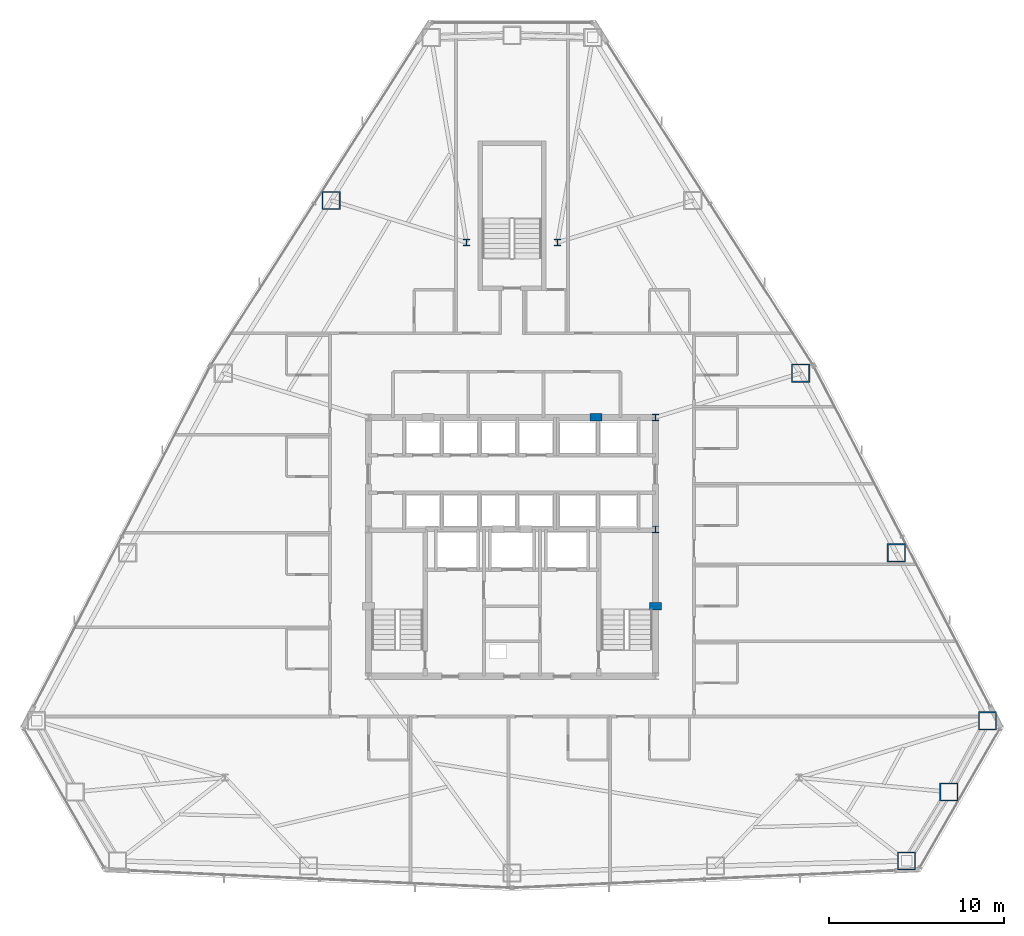
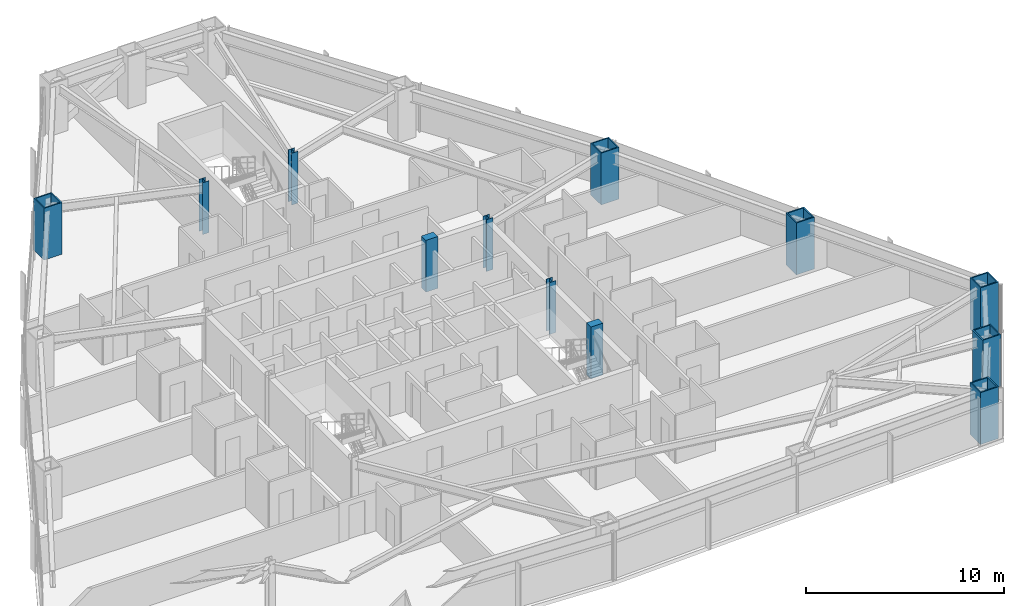
# One storey, part 2 of 13: 12 columns.
"""IFC4 building model written with IfcOpenShell, lengths in metres."""

from ifc_helpers import new_model, si_unit, direction, frame, origin, origin_2d, place, context, subcontext, project, spatial, rectangle, hollow_rectangle, i_section, extrude, material, material_profile, profile_set, type_object, element, save


model = new_model("IFC4")

# Units and contexts
model_context = context("Model", 3, precision=1e-05, world=origin(), true_north=direction((0.0, 1.0)))
body_context = subcontext(model_context, "Body", "Model", "MODEL_VIEW")
ifc_project = project(units=[si_unit("LENGTHUNIT", "METRE"), si_unit("AREAUNIT", "SQUARE_METRE"), si_unit("VOLUMEUNIT", "CUBIC_METRE"), si_unit("PLANEANGLEUNIT", "RADIAN"), si_unit("MASSUNIT", "GRAM", prefix="KILO")], contexts=[model_context])

# Site, building, storey
site_placement = place(None, origin())
site = spatial("IfcSite", under=ifc_project, at=site_placement, CompositionType="ELEMENT")
building_placement = place(site_placement, origin())
building = spatial("IfcBuilding", under=site, at=building_placement, Name="Varakhsha Concourse Tower", CompositionType="ELEMENT")
storey_placement = place(building_placement, frame((0.0, 0.0, 86.199951171875)))
storey = spatial("IfcBuildingStorey", under=building, at=storey_placement, Name="L24", CompositionType="ELEMENT", Elevation=86.199951171875)

# Columns
ifc_material_1 = material(Name="Structural Steel ASTM A992 Grade 50", Category="steel")
ifc_material_profile_1 = material_profile(ifc_material_1, i_section(OverallWidth=0.3740234375, OverallDepth=0.3720703125, WebThickness=0.01611328125, FlangeThickness=0.02587890625, at=origin_2d()), Name="W14X132")
ifc_profile_set_1 = profile_set([ifc_material_profile_1], Name="Structural Steel ASTM A992 Grade 50")
column_type_1 = type_object("IfcColumnType", Name="CL-CORE-W14X132", PredefinedType="COLUMN", material=ifc_profile_set_1)
for number, where, z_axis, x_axis, name in (
    (1, (48.199951171875, 24.800048828125, 0.0), (0.0, 0.0, 1.0), (1.0, 0.0, 0.0), "L24 Core Column CC-ME"),
    (2, (48.199951171875, 31.199951171875, 0.0), (0.0, 0.0, 1.0), (1.0, 0.0, 0.0), "L24 Core Column CC-NE"),
    (3, (37.39990234375, 41.199951171875, 0.0), (0.0, 0.0, 1.0), (1.0, 0.0, 0.0), "L24 Core Column NS-W"),
    (4, (42.60009765625, 41.199951171875, 0.0), (0.0, 0.0, 1.0), (1.0, 0.0, 0.0), "L24 Core Column NS-E"),
):
    element("IfcColumn", number, at=place(storey_placement, frame(where, z_axis=z_axis, x_axis=x_axis)), inside=storey, type_object=column_type_1, Name=name, PredefinedType="COLUMN", context=body_context, shape_type="SweptSolid", body=[
        extrude(i_section(OverallWidth=0.3740234375, OverallDepth=0.3720703125, WebThickness=0.01611328125, FlangeThickness=0.02587890625, at=origin_2d()), origin(), (0.0, 0.0, 1.0), 3.199951171875),
    ])
ifc_material_2 = material(Name="Concrete fc 65 MPa", Category="concrete")
ifc_material_profile_2 = material_profile(ifc_material_2, rectangle(XDim=0.699951171875, YDim=0.449951171875, at=origin_2d()), Name="RC 700x450")
ifc_profile_set_2 = profile_set([ifc_material_profile_2], Name="Concrete fc 65 MPa")
column_type_2 = type_object("IfcColumnType", Name="CL-PIL-700X450", PredefinedType="PILASTER", material=ifc_profile_set_2)
for number, where, z_axis, x_axis, name in (
    (5, (48.199951171875, 20.39990234375, 0.0), (0.0, 0.0, 1.0), (1.0, 0.0, 0.0), "L24 Core Boundary Pilaster PIL-E1"),
    (6, (44.800048828125, 31.199951171875, 0.0), (0.0, 0.0, 1.0), (1.0, 0.0, 0.0), "L24 Core Boundary Pilaster PIL-N2"),
):
    element("IfcColumn", number, at=place(storey_placement, frame(where, z_axis=z_axis, x_axis=x_axis)), inside=storey, type_object=column_type_2, Name=name, PredefinedType="PILASTER", context=body_context, shape_type="SweptSolid", body=[
        extrude(rectangle(XDim=0.699951171875, YDim=0.449951171875, at=origin_2d()), origin(), (0.0, 0.0, 1.0), 3.199951171875),
    ])
ifc_material_3 = material(Name="Structural Steel ASTM A572 Grade 50", Category="steel")
ifc_material_profile_3 = material_profile(ifc_material_3, hollow_rectangle(XDim=1.050048828125, YDim=1.050048828125, WallThickness=0.070068359375, at=origin_2d()), Name="BOX 1050x1050x70")
ifc_profile_set_3 = profile_set([ifc_material_profile_3], Name="Structural Steel ASTM A572 Grade 50")
column_type_3 = type_object("IfcColumnType", Name="CL-TUBE-1050", PredefinedType="COLUMN", material=ifc_profile_set_3)
for number, where, z_axis, x_axis, name in (
    (7, (29.662109375, 43.596435546875, 0.0), (0.0, 0.0, 1.0), (1.0, 0.0, 0.0), "L24 Framed-Tube Column TC04"),
    (8, (62.552734375, 5.8388671875, 0.0), (0.0, 0.0, 1.0), (1.0, 0.0, 0.0), "L24 Framed-Tube Column TC13"),
    (9, (64.96826171875, 9.784423828125, 0.0), (0.0, 0.0, 1.0), (1.0, 0.0, 0.0), "L24 Framed-Tube Column TC14"),
    (10, (67.177490234375, 13.849365234375, 0.0), (0.0, 0.0, 1.0), (1.0, 0.0, 0.0), "L24 Framed-Tube Column TC15"),
    (11, (61.966796875, 23.45458984375, 0.0), (0.0, 0.0, 1.0), (1.0, 0.0, 0.0), "L24 Framed-Tube Column TC16"),
    (12, (56.49609375, 33.72412109375, 0.0), (0.0, 0.0, 1.0), (1.0, 0.0, 0.0), "L24 Framed-Tube Column TC17"),
):
    element("IfcColumn", number, at=place(storey_placement, frame(where, z_axis=z_axis, x_axis=x_axis)), inside=storey, type_object=column_type_3, Name=name, PredefinedType="COLUMN", context=body_context, shape_type="SweptSolid", body=[
        extrude(hollow_rectangle(XDim=1.050048828125, YDim=1.050048828125, WallThickness=0.070068359375, at=origin_2d()), origin(), (0.0, 0.0, 1.0), 3.199951171875),
    ])

save(model, "model.ifc")
